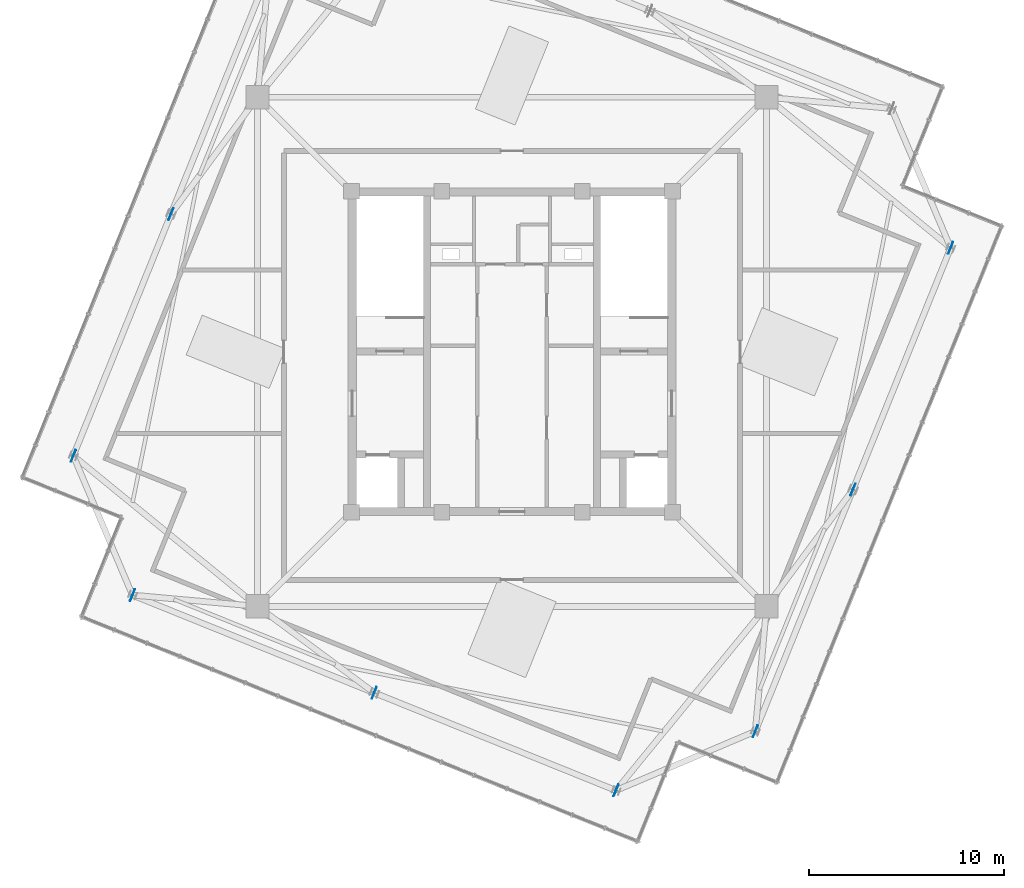
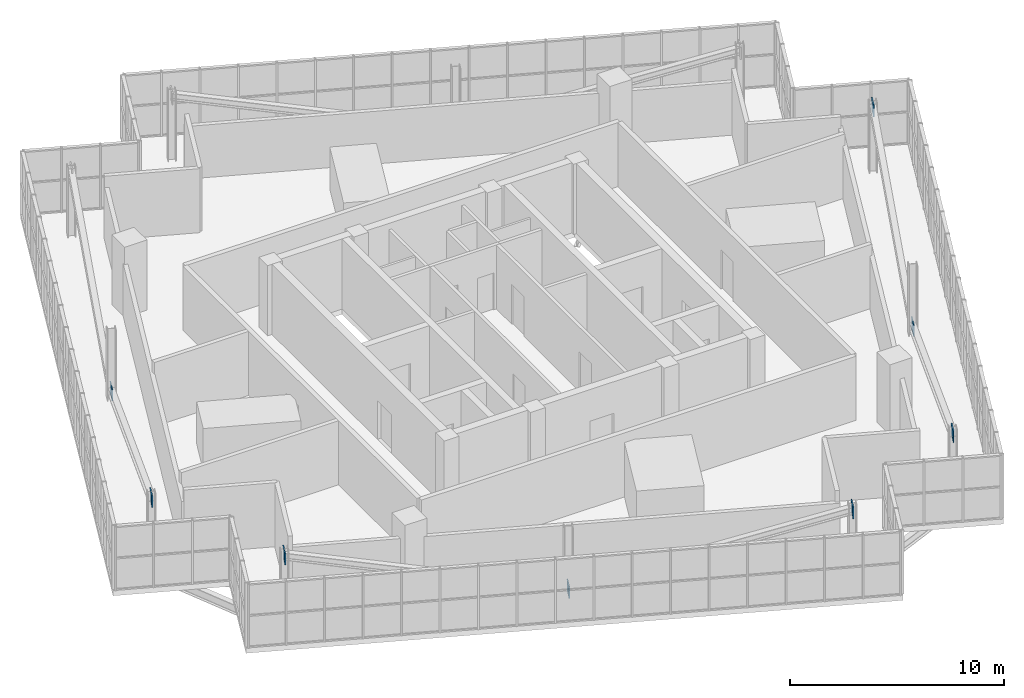
# One storey, part 21 of 26: 8 plates.
"""IFC4 building model written with IfcOpenShell, lengths in metres."""

from ifc_helpers import new_model, si_unit, direction, frame, origin, origin_2d, place, context, subcontext, project, spatial, rectangle, extrude, source, transform, mapped, material, layer, layer_set, type_object, element, save


model = new_model("IFC4")

# Units and contexts
model_context = context("Model", 3, precision=1e-05, world=origin(), true_north=direction((0.0, 1.0)))
body_context = subcontext(model_context, "Body", "Model", "MODEL_VIEW")
ifc_project = project(units=[si_unit("LENGTHUNIT", "METRE"), si_unit("AREAUNIT", "SQUARE_METRE"), si_unit("VOLUMEUNIT", "CUBIC_METRE"), si_unit("PLANEANGLEUNIT", "RADIAN"), si_unit("MASSUNIT", "GRAM", prefix="KILO"), si_unit("THERMODYNAMICTEMPERATUREUNIT", "KELVIN")], contexts=[model_context])

# Site, building, storey
site_placement = place(None, origin())
site = spatial("IfcSite", under=ifc_project, at=site_placement, CompositionType="ELEMENT")
building_placement = place(site_placement, origin())
building = spatial("IfcBuilding", under=site, at=building_placement, Name="Kosmvard Interchange Tower", CompositionType="ELEMENT")
storey_placement = place(building_placement, frame((0.0, 0.0, 341.60009765625)))
storey = spatial("IfcBuildingStorey", under=building, at=storey_placement, Name="L84", CompositionType="ELEMENT", Elevation=341.60009765625)

# Plates
ifc_material = material(Name="Steel S355", Category="steel")
ifc_layer = layer(ifc_material, 0.0380859375, Name="Steel S355")
ifc_layer_set = layer_set([ifc_layer], Name="Steel S355")
plate_type = type_object("IfcPlateType", Name="Lantern Base & Chord End Cap Stiffener 750x750x38 S355", PredefinedType="USERDEFINED", material=ifc_layer_set)
shared_shape = source(origin(), body_context, "Body", "SweptSolid", [
    extrude(rectangle(XDim=0.64990234375, YDim=0.0380859375, at=origin_2d()), origin(), (0.0, 0.0, 1.0), 0.64990234375),
])
for number, where, z_axis, x_axis, name in (
    (1, (12.504150390625, -19.50439453125, 3.324951171875), (0.0, 0.0, 1.0), (0.374606593416, 0.927183854567, 0.0), "L84 Crown Diagrid Node Gusset Plate LAS"),
    (2, (22.54345703125, 5.34423828125, 3.324951171875), (0.0, 0.0, 1.0), (0.374606593416, 0.927183854567, 0.0), "L84 Crown Diagrid Node Gusset Plate LBS"),
    (3, (17.523681640625, -7.080078125, 0.094970703125), (0.0, 0.0, 1.0), (0.374606593416, 0.927183854567, 0.0), "L84 Crown Diagrid Node Gusset Plate LMS"),
    (4, (-22.54345703125, -5.34423828125, 3.324951171875), (0.0, 0.0, 1.0), (0.374606593416, 0.927183854567, 0.0), "L84 Crown Diagrid Node Gusset Plate LBN"),
    (5, (-17.523681640625, 7.080078125, 0.094970703125), (0.0, 0.0, 1.0), (0.374606593416, 0.927183854567, 0.0), "L84 Crown Diagrid Node Gusset Plate LMN"),
    (6, (-19.50439453125, -12.504150390625, 3.324951171875), (0.0, 0.0, 1.0), (0.374606593416, 0.927183854567, 0.0), "L84 Crown Diagrid Node Gusset Plate LAW"),
    (7, (5.34423828125, -22.54345703125, 3.324951171875), (0.0, 0.0, 1.0), (0.374606593416, 0.927183854567, 0.0), "L84 Crown Diagrid Node Gusset Plate LBW"),
    (8, (-7.080078125, -17.523681640625, 0.094970703125), (0.0, 0.0, 1.0), (0.374606593416, 0.927183854567, 0.0), "L84 Crown Diagrid Node Gusset Plate LMW"),
):
    element("IfcPlate", number, at=place(storey_placement, frame(where, z_axis=z_axis, x_axis=x_axis)), inside=storey, type_object=plate_type, Name=name, ObjectType="STIFFENER_PLATE", PredefinedType="USERDEFINED", context=body_context, shape_type="MappedRepresentation", body=[
        mapped(shared_shape, transform((0.0, 0.0, 0.0), scale=1.0)),
    ])

save(model, "model.ifc")
